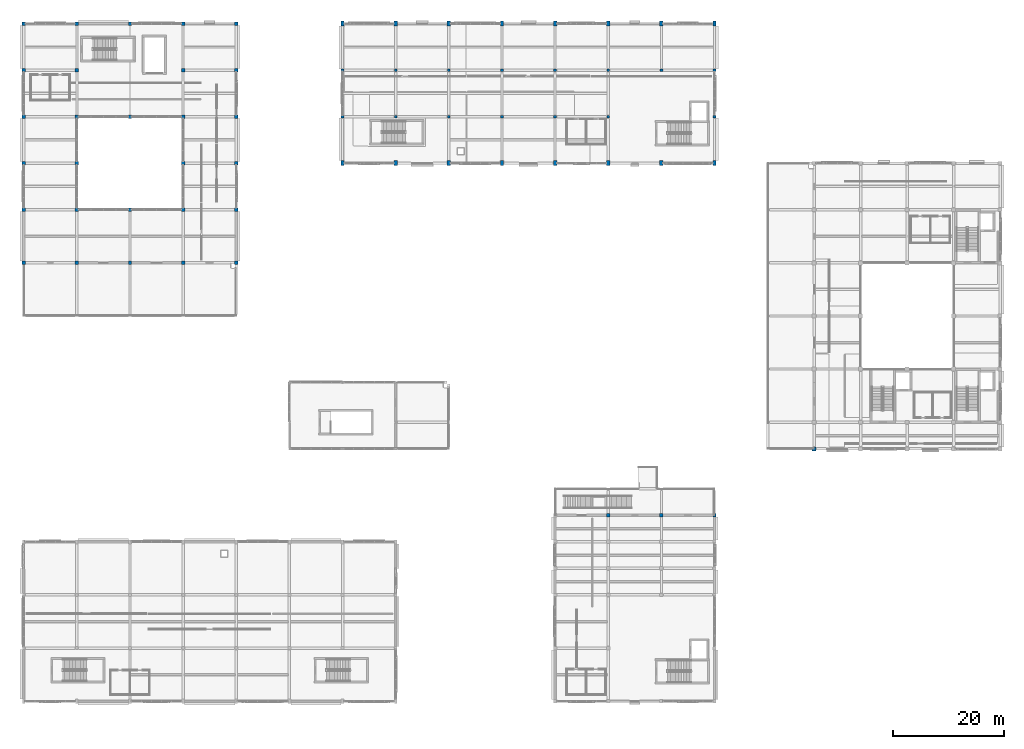
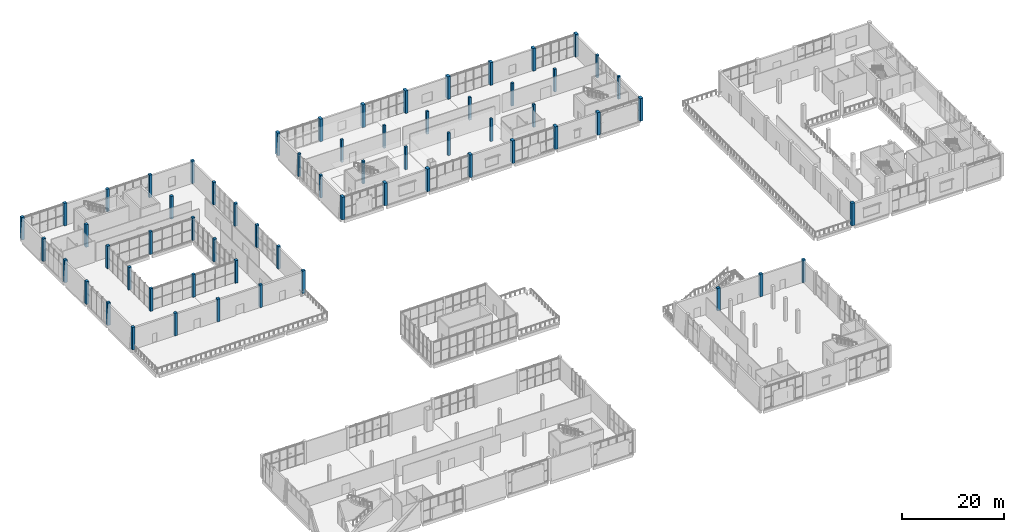
# One storey, part 5 of 83: 63 columns.
"""IFC4 building model written with IfcOpenShell, lengths in metres."""

from ifc_helpers import new_model, si_unit, direction, frame, origin, origin_2d, place, context, subcontext, project, spatial, rectangle, extrude, material, material_profile, profile_set, type_object, element, save


model = new_model("IFC4")

# Units and contexts
model_context = context("Model", 3, precision=1e-05, world=origin(), true_north=direction((0.0, 1.0)))
body_context = subcontext(model_context, "Body", "Model", "MODEL_VIEW")
ifc_project = project(units=[si_unit("LENGTHUNIT", "METRE"), si_unit("AREAUNIT", "SQUARE_METRE"), si_unit("VOLUMEUNIT", "CUBIC_METRE"), si_unit("PLANEANGLEUNIT", "RADIAN"), si_unit("MASSUNIT", "GRAM", prefix="KILO")], contexts=[model_context])

# Site, building, storey
site_placement = place(None, origin())
site = spatial("IfcSite", under=ifc_project, at=site_placement, CompositionType="ELEMENT")
building_placement = place(site_placement, origin())
building = spatial("IfcBuilding", under=site, at=building_placement, Name="Shalvenor Court Art Gallery", CompositionType="ELEMENT")
storey_placement = place(building_placement, frame((0.0, 0.0, 6.0)))
storey = spatial("IfcBuildingStorey", under=building, at=storey_placement, Name="L01", CompositionType="ELEMENT", Elevation=6.0)

# Columns
ifc_material_1 = material(Name="Concrete C40/50", Category="concrete")
ifc_material_profile_1 = material_profile(ifc_material_1, rectangle(XDim=0.699951171875, YDim=0.699951171875, at=origin_2d()), Name="RC 700x700")
ifc_profile_set_1 = profile_set([ifc_material_profile_1], Name="Concrete C40/50")
column_type_1 = type_object("IfcColumnType", Name="C-02", PredefinedType="COLUMN", material=ifc_profile_set_1)
column_placement = place(storey_placement, frame((142.800048828125, 45.60009765625, 0.0), z_axis=(0.0, 0.0, 1.0), x_axis=(1.0, 0.0, 0.0)))
element("IfcColumn", 1, at=column_placement, inside=storey, type_object=column_type_1, Name="L01 Column COL-L01-C-02-0553", PredefinedType="COLUMN", context=body_context, shape_type="SweptSolid", body=[
    extrude(rectangle(XDim=0.699951171875, YDim=0.699951171875, at=origin_2d()), origin(), (0.0, 0.0, 1.0), 5.39990234375),
])
ifc_material_2 = material(Name="Concrete C40/50", Category="concrete")
ifc_material_profile_2 = material_profile(ifc_material_2, rectangle(XDim=0.60009765625, YDim=0.60009765625, at=origin_2d()), Name="RC 600x600")
ifc_profile_set_2 = profile_set([ifc_material_profile_2], Name="Concrete C40/50")
column_type_2 = type_object("IfcColumnType", Name="C-03", PredefinedType="COLUMN", material=ifc_profile_set_2)
for number, where, z_axis, x_axis, name in (
    (2, (9.60009765625, 79.199951171875, 0.0), (0.0, 0.0, 1.0), (1.0, 0.0, 0.0), "L01 Column COL-L01-C-03-0061"),
    (3, (9.60009765625, 88.800048828125, 0.0), (0.0, 0.0, 1.0), (1.0, 0.0, 0.0), "L01 Column COL-L01-C-03-0064"),
    (4, (9.60009765625, 97.199951171875, 0.0), (0.0, 0.0, 1.0), (1.0, 0.0, 0.0), "L01 Column COL-L01-C-03-0068"),
    (5, (9.60009765625, 105.60009765625, 0.0), (0.0, 0.0, 1.0), (1.0, 0.0, 0.0), "L01 Column COL-L01-C-03-0072"),
    (6, (9.60009765625, 114.0, 0.0), (0.0, 0.0, 1.0), (1.0, 0.0, 0.0), "L01 Column COL-L01-C-03-0077"),
    (7, (19.199951171875, 79.199951171875, 0.0), (0.0, 0.0, 1.0), (1.0, 0.0, 0.0), "L01 Column COL-L01-C-03-0103"),
    (8, (19.199951171875, 88.800048828125, 0.0), (0.0, 0.0, 1.0), (1.0, 0.0, 0.0), "L01 Column COL-L01-C-03-0106"),
    (9, (19.199951171875, 105.60009765625, 0.0), (0.0, 0.0, 1.0), (1.0, 0.0, 0.0), "L01 Column COL-L01-C-03-0110"),
    (10, (28.800048828125, 79.199951171875, 0.0), (0.0, 0.0, 1.0), (1.0, 0.0, 0.0), "L01 Column COL-L01-C-03-0136"),
    (11, (28.800048828125, 88.800048828125, 0.0), (0.0, 0.0, 1.0), (1.0, 0.0, 0.0), "L01 Column COL-L01-C-03-0139"),
    (12, (28.800048828125, 97.199951171875, 0.0), (0.0, 0.0, 1.0), (1.0, 0.0, 0.0), "L01 Column COL-L01-C-03-0143"),
    (13, (28.800048828125, 105.60009765625, 0.0), (0.0, 0.0, 1.0), (1.0, 0.0, 0.0), "L01 Column COL-L01-C-03-0147"),
    (14, (28.800048828125, 114.0, 0.0), (0.0, 0.0, 1.0), (1.0, 0.0, 0.0), "L01 Column COL-L01-C-03-0152"),
    (15, (105.60009765625, 33.60009765625, 0.0), (0.0, 0.0, 1.0), (1.0, 0.0, 0.0), "L01 Column COL-L01-C-03-0418"),
    (16, (115.199951171875, 33.60009765625, 0.0), (0.0, 0.0, 1.0), (1.0, 0.0, 0.0), "L01 Column COL-L01-C-03-0468"),
):
    element("IfcColumn", number, at=place(storey_placement, frame(where, z_axis=z_axis, x_axis=x_axis)), inside=storey, type_object=column_type_2, Name=name, PredefinedType="COLUMN", context=body_context, shape_type="SweptSolid", body=[
        extrude(rectangle(XDim=0.60009765625, YDim=0.60009765625, at=origin_2d()), origin(), (0.0, 0.0, 1.0), 5.39990234375),
    ])
ifc_material_3 = material(Name="Concrete C40/50", Category="concrete")
ifc_material_profile_3 = material_profile(ifc_material_3, rectangle(XDim=0.60009765625, YDim=0.60009765625, at=origin_2d()), Name="RC 600x600")
ifc_profile_set_3 = profile_set([ifc_material_profile_3], Name="Concrete C40/50")
column_type_3 = type_object("IfcColumnType", Name="C-03E", PredefinedType="COLUMN", material=ifc_profile_set_3)
for number, where, z_axis, x_axis, name in (
    (17, (0.0, 79.199951171875, 0.0), (0.0, 0.0, 1.0), (1.0, 0.0, 0.0), "L01 Column COL-L01-C-03E-0019"),
    (18, (0.0, 88.800048828125, 0.0), (0.0, 0.0, 1.0), (1.0, 0.0, 0.0), "L01 Column COL-L01-C-03E-0022"),
    (19, (0.0, 97.199951171875, 0.0), (0.0, 0.0, 1.0), (1.0, 0.0, 0.0), "L01 Column COL-L01-C-03E-0026"),
    (20, (0.0, 105.60009765625, 0.0), (0.0, 0.0, 1.0), (1.0, 0.0, 0.0), "L01 Column COL-L01-C-03E-0030"),
    (21, (0.0, 114.0, 0.0), (0.0, 0.0, 1.0), (1.0, 0.0, 0.0), "L01 Column COL-L01-C-03E-0035"),
    (22, (0.0, 122.39990234375, 0.0), (0.0, 0.0, 1.0), (1.0, 0.0, 0.0), "L01 Column COL-L01-C-03E-0040"),
    (23, (9.60009765625, 122.39990234375, 0.0), (0.0, 0.0, 1.0), (1.0, 0.0, 0.0), "L01 Column COL-L01-C-03E-0082"),
    (24, (19.199951171875, 122.39990234375, 0.0), (0.0, 0.0, 1.0), (1.0, 0.0, 0.0), "L01 Column COL-L01-C-03E-0115"),
    (25, (28.800048828125, 122.39990234375, 0.0), (0.0, 0.0, 1.0), (1.0, 0.0, 0.0), "L01 Column COL-L01-C-03E-0157"),
    (26, (38.39990234375, 79.199951171875, 0.0), (0.0, 0.0, 1.0), (1.0, 0.0, 0.0), "L01 Column COL-L01-C-03E-0178"),
    (27, (38.39990234375, 88.800048828125, 0.0), (0.0, 0.0, 1.0), (1.0, 0.0, 0.0), "L01 Column COL-L01-C-03E-0181"),
    (28, (38.39990234375, 97.199951171875, 0.0), (0.0, 0.0, 1.0), (1.0, 0.0, 0.0), "L01 Column COL-L01-C-03E-0184"),
    (29, (38.39990234375, 105.60009765625, 0.0), (0.0, 0.0, 1.0), (1.0, 0.0, 0.0), "L01 Column COL-L01-C-03E-0187"),
    (30, (38.39990234375, 114.0, 0.0), (0.0, 0.0, 1.0), (1.0, 0.0, 0.0), "L01 Column COL-L01-C-03E-0190"),
    (31, (38.39990234375, 122.39990234375, 0.0), (0.0, 0.0, 1.0), (1.0, 0.0, 0.0), "L01 Column COL-L01-C-03E-0193"),
    (32, (124.800048828125, 33.60009765625, 0.0), (0.0, 0.0, 1.0), (1.0, 0.0, 0.0), "L01 Column COL-L01-C-03E-0515"),
):
    element("IfcColumn", number, at=place(storey_placement, frame(where, z_axis=z_axis, x_axis=x_axis)), inside=storey, type_object=column_type_3, Name=name, PredefinedType="COLUMN", context=body_context, shape_type="SweptSolid", body=[
        extrude(rectangle(XDim=0.60009765625, YDim=0.60009765625, at=origin_2d()), origin(), (0.0, 0.0, 1.0), 5.39990234375),
    ])
ifc_material_4 = material(Name="Concrete C40/50", Category="concrete")
ifc_material_profile_4 = material_profile(ifc_material_4, rectangle(XDim=0.5, YDim=0.5, at=origin_2d()), Name="RC 500x500")
ifc_profile_set_4 = profile_set([ifc_material_profile_4], Name="Concrete C40/50")
column_type_4 = type_object("IfcColumnType", Name="C-04", PredefinedType="COLUMN", material=ifc_profile_set_4)
for number, where, z_axis, x_axis, name in (
    (33, (67.199951171875, 105.60009765625, 0.0), (0.0, 0.0, 1.0), (1.0, 0.0, 0.0), "L01 Column COL-L01-C-04-0285"),
    (34, (67.199951171875, 114.0, 0.0), (0.0, 0.0, 1.0), (1.0, 0.0, 0.0), "L01 Column COL-L01-C-04-0289"),
    (35, (76.800048828125, 105.60009765625, 0.0), (0.0, 0.0, 1.0), (1.0, 0.0, 0.0), "L01 Column COL-L01-C-04-0309"),
    (36, (76.800048828125, 114.0, 0.0), (0.0, 0.0, 1.0), (1.0, 0.0, 0.0), "L01 Column COL-L01-C-04-0313"),
    (37, (86.39990234375, 105.60009765625, 0.0), (0.0, 0.0, 1.0), (1.0, 0.0, 0.0), "L01 Column COL-L01-C-04-0327"),
    (38, (86.39990234375, 114.0, 0.0), (0.0, 0.0, 1.0), (1.0, 0.0, 0.0), "L01 Column COL-L01-C-04-0331"),
    (39, (96.0, 105.60009765625, 0.0), (0.0, 0.0, 1.0), (1.0, 0.0, 0.0), "L01 Column COL-L01-C-04-0378"),
    (40, (96.0, 114.0, 0.0), (0.0, 0.0, 1.0), (1.0, 0.0, 0.0), "L01 Column COL-L01-C-04-0382"),
    (41, (105.60009765625, 105.60009765625, 0.0), (0.0, 0.0, 1.0), (1.0, 0.0, 0.0), "L01 Column COL-L01-C-04-0434"),
    (42, (105.60009765625, 114.0, 0.0), (0.0, 0.0, 1.0), (1.0, 0.0, 0.0), "L01 Column COL-L01-C-04-0438"),
    (43, (115.199951171875, 114.0, 0.0), (0.0, 0.0, 1.0), (1.0, 0.0, 0.0), "L01 Column COL-L01-C-04-0479"),
):
    element("IfcColumn", number, at=place(storey_placement, frame(where, z_axis=z_axis, x_axis=x_axis)), inside=storey, type_object=column_type_4, Name=name, PredefinedType="COLUMN", context=body_context, shape_type="SweptSolid", body=[
        extrude(rectangle(XDim=0.5, YDim=0.5, at=origin_2d()), origin(), (0.0, 0.0, 1.0), 5.39990234375),
    ])
ifc_material_5 = material(Name="Concrete C40/50", Category="concrete")
ifc_material_profile_5 = material_profile(ifc_material_5, rectangle(XDim=0.5, YDim=0.5, at=origin_2d()), Name="RC 500x500")
ifc_profile_set_5 = profile_set([ifc_material_profile_5], Name="Concrete C40/50")
column_type_5 = type_object("IfcColumnType", Name="C-04E", PredefinedType="COLUMN", material=ifc_profile_set_5)
for number, where, z_axis, x_axis, name in (
    (44, (57.60009765625, 105.60009765625, 0.0), (0.0, 0.0, 1.0), (1.0, 0.0, 0.0), "L01 Column COL-L01-C-04E-0244"),
    (45, (57.60009765625, 114.0, 0.0), (0.0, 0.0, 1.0), (1.0, 0.0, 0.0), "L01 Column COL-L01-C-04E-0248"),
    (46, (124.800048828125, 105.60009765625, 0.0), (0.0, 0.0, 1.0), (1.0, 0.0, 0.0), "L01 Column COL-L01-C-04E-0526"),
    (47, (124.800048828125, 114.0, 0.0), (0.0, 0.0, 1.0), (1.0, 0.0, 0.0), "L01 Column COL-L01-C-04E-0530"),
):
    element("IfcColumn", number, at=place(storey_placement, frame(where, z_axis=z_axis, x_axis=x_axis)), inside=storey, type_object=column_type_5, Name=name, PredefinedType="COLUMN", context=body_context, shape_type="SweptSolid", body=[
        extrude(rectangle(XDim=0.5, YDim=0.5, at=origin_2d()), origin(), (0.0, 0.0, 1.0), 5.39990234375),
    ])
ifc_material_6 = material(Name="Concrete C40/50", Category="concrete")
ifc_material_profile_6 = material_profile(ifc_material_6, rectangle(XDim=0.60009765625, YDim=0.89990234375, at=origin_2d()), Name="RC 600x900")
ifc_profile_set_6 = profile_set([ifc_material_profile_6], Name="Concrete C40/50")
column_type_6 = type_object("IfcColumnType", Name="C-05E", PredefinedType="COLUMN", material=ifc_profile_set_6)
for number, where, z_axis, x_axis, name in (
    (48, (57.60009765625, 97.199951171875, 0.0), (0.0, 0.0, 1.0), (1.0, 0.0, 0.0), "L01 Column COL-L01-C-05E-0239"),
    (49, (57.60009765625, 122.39990234375, 0.0), (0.0, 0.0, 1.0), (1.0, 0.0, 0.0), "L01 Column COL-L01-C-05E-0252"),
    (50, (67.199951171875, 97.199951171875, 0.0), (0.0, 0.0, 1.0), (1.0, 0.0, 0.0), "L01 Column COL-L01-C-05E-0280"),
    (51, (67.199951171875, 122.39990234375, 0.0), (0.0, 0.0, 1.0), (1.0, 0.0, 0.0), "L01 Column COL-L01-C-05E-0293"),
    (52, (76.800048828125, 97.199951171875, 0.0), (0.0, 0.0, 1.0), (1.0, 0.0, 0.0), "L01 Column COL-L01-C-05E-0304"),
    (53, (76.800048828125, 122.39990234375, 0.0), (0.0, 0.0, 1.0), (1.0, 0.0, 0.0), "L01 Column COL-L01-C-05E-0317"),
    (54, (86.39990234375, 97.199951171875, 0.0), (0.0, 0.0, 1.0), (1.0, 0.0, 0.0), "L01 Column COL-L01-C-05E-0322"),
    (55, (86.39990234375, 122.39990234375, 0.0), (0.0, 0.0, 1.0), (1.0, 0.0, 0.0), "L01 Column COL-L01-C-05E-0335"),
    (56, (96.0, 97.199951171875, 0.0), (0.0, 0.0, 1.0), (1.0, 0.0, 0.0), "L01 Column COL-L01-C-05E-0373"),
    (57, (96.0, 122.39990234375, 0.0), (0.0, 0.0, 1.0), (1.0, 0.0, 0.0), "L01 Column COL-L01-C-05E-0386"),
    (58, (105.60009765625, 97.199951171875, 0.0), (0.0, 0.0, 1.0), (1.0, 0.0, 0.0), "L01 Column COL-L01-C-05E-0429"),
    (59, (105.60009765625, 122.39990234375, 0.0), (0.0, 0.0, 1.0), (1.0, 0.0, 0.0), "L01 Column COL-L01-C-05E-0442"),
    (60, (115.199951171875, 97.199951171875, 0.0), (0.0, 0.0, 1.0), (1.0, 0.0, 0.0), "L01 Column COL-L01-C-05E-0474"),
    (61, (115.199951171875, 122.39990234375, 0.0), (0.0, 0.0, 1.0), (1.0, 0.0, 0.0), "L01 Column COL-L01-C-05E-0483"),
    (62, (124.800048828125, 97.199951171875, 0.0), (0.0, 0.0, 1.0), (1.0, 0.0, 0.0), "L01 Column COL-L01-C-05E-0521"),
    (63, (124.800048828125, 122.39990234375, 0.0), (0.0, 0.0, 1.0), (1.0, 0.0, 0.0), "L01 Column COL-L01-C-05E-0534"),
):
    element("IfcColumn", number, at=place(storey_placement, frame(where, z_axis=z_axis, x_axis=x_axis)), inside=storey, type_object=column_type_6, Name=name, PredefinedType="COLUMN", context=body_context, shape_type="SweptSolid", body=[
        extrude(rectangle(XDim=0.60009765625, YDim=0.89990234375, at=origin_2d()), origin(), (0.0, 0.0, 1.0), 5.39990234375),
    ])

save(model, "model.ifc")
